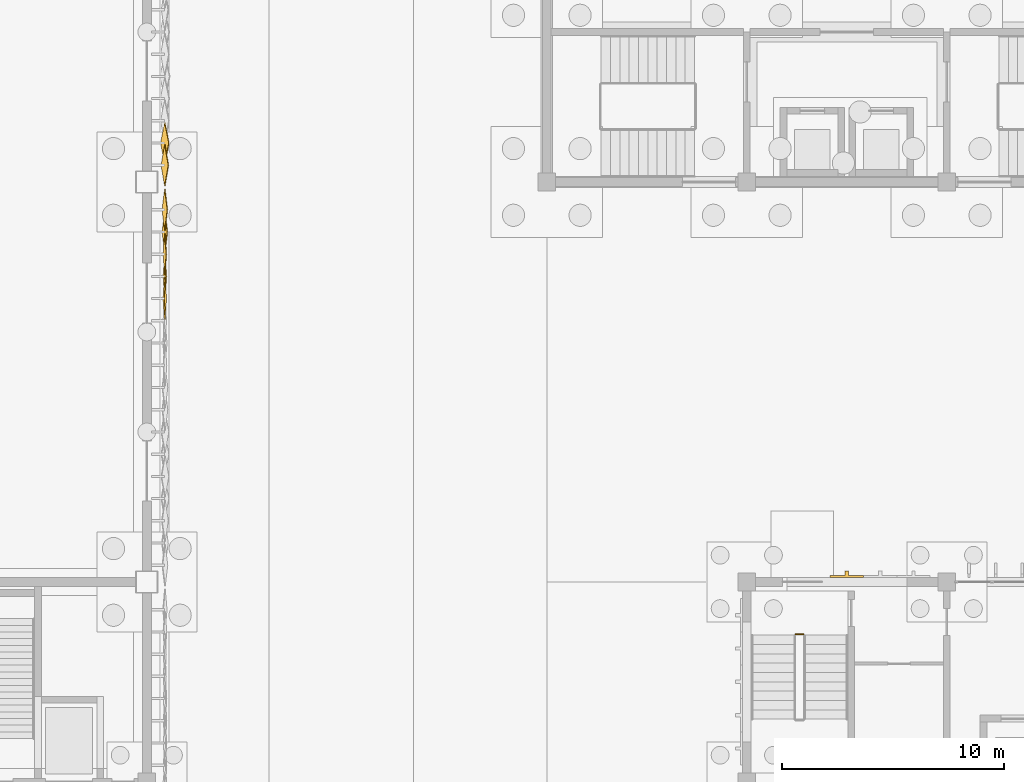
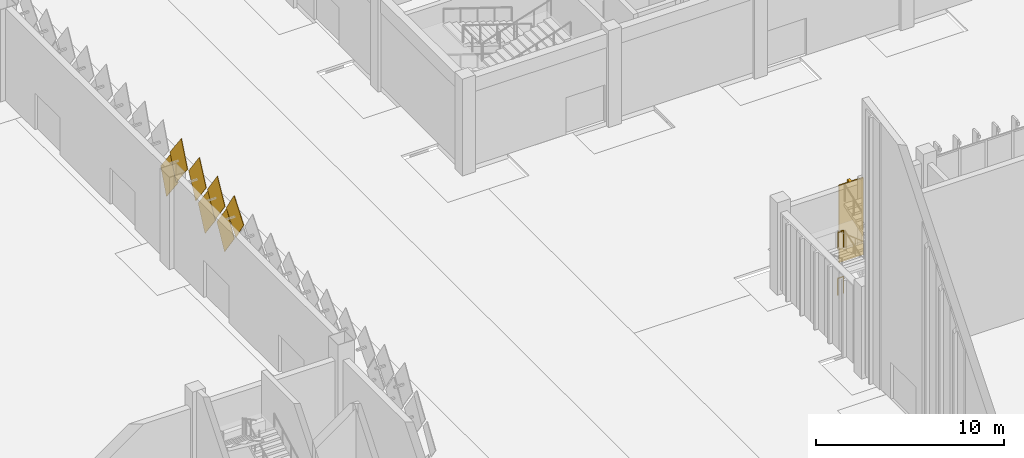
# One storey, part 183 of 198: 8 coverings, 2 railings.
"""IFC4 building model written with IfcOpenShell, lengths in metres."""

from ifc_helpers import new_model, si_unit, direction, frame, origin, origin_2d, place, context, subcontext, project, spatial, polyline, circle, outline, extrude, material, layer, layer_set, constituent, constituent_set, material_profile, profile_set, type_object, element, save


model = new_model("IFC4")

# Units and contexts
model_context = context("Model", 3, precision=1e-05, world=origin(), true_north=direction((0.0, 1.0)))
body_context = subcontext(model_context, "Body", "Model", "MODEL_VIEW")
ifc_project = project(units=[si_unit("LENGTHUNIT", "METRE"), si_unit("AREAUNIT", "SQUARE_METRE"), si_unit("VOLUMEUNIT", "CUBIC_METRE"), si_unit("PLANEANGLEUNIT", "RADIAN"), si_unit("MASSUNIT", "GRAM", prefix="KILO")], contexts=[model_context])

# Site, building, storey
site_placement = place(None, origin())
site = spatial("IfcSite", under=ifc_project, at=site_placement, CompositionType="ELEMENT")
building_placement = place(site_placement, origin())
building = spatial("IfcBuilding", under=site, at=building_placement, Name="Opaline Strait Convention Centre", CompositionType="ELEMENT")
storey_placement = place(building_placement, origin())
storey = spatial("IfcBuildingStorey", under=building, at=storey_placement, Name="L00", CompositionType="ELEMENT", Elevation=0.0)

# Coverings
ifc_material_1 = material(Name="White ceramic-faced aluminium tile", Category="aluminium")
ifc_material_profile_1 = material_profile(ifc_material_1, outline(polyline([(0.927978515625, 0.0), (0.0, 1.39208984375), (-0.927978515625, 0.0), (0.0, -1.39208984375), (0.927978515625, 0.0)])), Name="Diamond tile 1856x2784")
ifc_profile_set_1 = profile_set([ifc_material_profile_1], Name="White ceramic-faced aluminium tile")
covering_type_1 = type_object("IfcCoveringType", Name="Diamond wall tile 1856x2784x30 pivot 2.5 deg", PredefinedType="CLADDING", material=ifc_profile_set_1)
for number, where, z_axis, x_axis, name in (
    (1, (261.800048828125, 85.75, 4.39208984375), (0.998812351125, 0.0, -0.048722553713), (0.0, 1.0, 0.0), "Wall tile XT05 E"),
    (2, (261.800048828125, 84.75, 5.89208984375), (0.999174794796, 0.0, 0.040616861577), (0.0, 1.0, 0.0), "Wall tile XT05 E"),
    (3, (261.800048828125, 86.75, 5.89208984375), (0.998812351125, 0.0, -0.048722553713), (0.0, 1.0, 0.0), "Wall tile XT05 E"),
):
    element("IfcCovering", number, at=place(storey_placement, frame(where, z_axis=z_axis, x_axis=x_axis)), inside=storey, type_object=covering_type_1, Name=name, PredefinedType="CLADDING", context=body_context, shape_type="SweptSolid", body=[
        extrude(outline(polyline([(0.927978515625, 0.0), (0.0, 1.39208984375), (-0.927978515625, 0.0), (0.0, -1.39208984375), (0.927978515625, 0.0)])), origin(), (0.0, 0.0, 1.0), 0.030029296875),
    ])
ifc_material_profile_2 = material_profile(ifc_material_1, outline(polyline([(0.927978515625, 0.0), (0.0, 1.39208984375), (-0.927978515625, 0.0), (0.0, -1.39208984375), (0.927978515625, 0.0)])), Name="Diamond tile 1856x2784")
ifc_profile_set_2 = profile_set([ifc_material_profile_2], Name="White ceramic-faced aluminium tile")
covering_type_2 = type_object("IfcCoveringType", Name="Diamond wall tile 1856x2784x30 pivot 4.5 deg", PredefinedType="CLADDING", material=ifc_profile_set_2)
for number, where, z_axis, x_axis, name in (
    (4, (261.800048828125, 87.75, 4.39208984375), (0.996657521232, 0.0, -0.081693239445), (0.0, 1.0, 0.0), "Wall tile XT09 E"),
    (5, (261.800048828125, 88.75, 5.89208984375), (0.996657521232, 0.0, -0.081693239445), (0.0, 1.0, 0.0), "Wall tile XT09 E"),
):
    element("IfcCovering", number, at=place(storey_placement, frame(where, z_axis=z_axis, x_axis=x_axis)), inside=storey, type_object=covering_type_2, Name=name, PredefinedType="CLADDING", context=body_context, shape_type="SweptSolid", body=[
        extrude(outline(polyline([(0.927978515625, 0.0), (0.0, 1.39208984375), (-0.927978515625, 0.0), (0.0, -1.39208984375), (0.927978515625, 0.0)])), origin(), (0.0, 0.0, 1.0), 0.02978515625),
    ])
ifc_material_profile_3 = material_profile(ifc_material_1, outline(polyline([(0.927978515625, 0.0), (0.0, 1.39208984375), (-0.927978515625, 0.0), (0.0, -1.39208984375), (0.927978515625, 0.0)])), Name="Diamond tile 1856x2784")
ifc_profile_set_3 = profile_set([ifc_material_profile_3], Name="White ceramic-faced aluminium tile")
covering_type_3 = type_object("IfcCoveringType", Name="Diamond wall tile 1856x2784x30 pivot 6.5 deg", PredefinedType="CLADDING", material=ifc_profile_set_3)
covering_1_placement = place(storey_placement, frame((261.800048828125, 90.75, 5.89208984375), z_axis=(0.993480071526, 0.0, -0.114005909847), x_axis=(0.0, 1.0, 0.0)))
element("IfcCovering", 6, at=covering_1_placement, inside=storey, type_object=covering_type_3, Name="Wall tile XT13 E", PredefinedType="CLADDING", context=body_context, shape_type="SweptSolid", body=[
    extrude(outline(polyline([(0.927978515625, 0.0), (0.0, 1.39208984375), (-0.927978515625, 0.0), (0.0, -1.39208984375), (0.927978515625, 0.0)])), origin(), (0.0, 0.0, 1.0), 0.030029296875),
])
ifc_material_profile_4 = material_profile(ifc_material_1, outline(polyline([(0.927978515625, 0.0), (0.0, 1.39208984375), (-0.927978515625, 0.0), (0.0, -1.39208984375), (0.927978515625, 0.0)])), Name="Diamond tile 1856x2784")
ifc_profile_set_4 = profile_set([ifc_material_profile_4], Name="White ceramic-faced aluminium tile")
covering_type_4 = type_object("IfcCoveringType", Name="Diamond wall tile 1856x2784x30 pivot 7.5 deg", PredefinedType="CLADDING", material=ifc_profile_set_4)
covering_2_placement = place(storey_placement, frame((261.800048828125, 91.75, 4.39208984375), z_axis=(0.991509530601, 0.0, -0.1300340368), x_axis=(0.0, 1.0, 0.0)))
element("IfcCovering", 7, at=covering_2_placement, inside=storey, type_object=covering_type_4, Name="Wall tile XT15 E", PredefinedType="CLADDING", context=body_context, shape_type="SweptSolid", body=[
    extrude(outline(polyline([(0.927978515625, 0.0), (0.0, 1.39208984375), (-0.927978515625, 0.0), (0.0, -1.39208984375), (0.927978515625, 0.0)])), origin(), (0.0, 0.0, 1.0), 0.030029296875),
])

# Railings
ifc_material_2 = material(Name="Steel Q235B", Category="steel")
ifc_constituent_1 = constituent(ifc_material_2, Name="Frame")
ifc_material_3 = material(Name="Safety glass, bonded interlayer", Category="glass")
ifc_constituent_2 = constituent(ifc_material_3, Name="Infill")
ifc_constituent_set = constituent_set(constituents=[ifc_constituent_1, ifc_constituent_2], Name="Steel Q235B, Safety glass, bonded interlayer")
railing_type = type_object("IfcRailingType", Name="Guard 1100 steel and glass", PredefinedType="GUARDRAIL", material=ifc_constituent_set)
for number, where, name in (
    (8, (290.199951171875, 69.64990234375, 3.0), "L00 B-STNW stair guard 4"),
    (9, (290.199951171875, 69.64990234375, 0.0), "L00 B-STNW stair guard 8"),
):
    element("IfcRailing", number, at=place(storey_placement, frame(where)), inside=storey, type_object=railing_type, Name=name, PredefinedType="GUARDRAIL", context=body_context, shape_type="SweptSolid", body=[
        extrude(circle(Radius=0.02392578125, at=origin_2d()), frame((0.0, 0.0, 1.076171875), z_axis=(1.0, 0.0, 0.0), x_axis=(0.0, 1.0, 0.0)), (0.0, 0.0, 1.0), 0.35009765625),
        extrude(circle(Radius=0.02099609375, at=origin_2d()), origin(), (0.0, 0.0, 1.0), 1.052001953125),
        extrude(circle(Radius=0.02099609375, at=origin_2d()), frame((0.35009765625, 0.0, 0.0)), (0.0, 0.0, 1.0), 1.052001953125),
    ])

# Covering
ifc_material_4 = material(Name="Concrete C40 precast white", Category="concrete")
ifc_layer = layer(ifc_material_4, 0.300048828125)
ifc_layer_set = layer_set([ifc_layer], Name="Concrete C40 precast white")
covering_type_5 = type_object("IfcCoveringType", Name="Ribbed precast panel white 1500", PredefinedType="CLADDING", material=ifc_layer_set)
covering_3_placement = place(storey_placement, origin())
element("IfcCovering", 10, at=covering_3_placement, inside=storey, type_object=covering_type_5, Name="Ribbed panel L00-N0 3", PredefinedType="CLADDING", context=body_context, shape_type="SweptSolid", body=[
    extrude(outline(polyline([(291.75, 72.199951171875), (293.25, 72.199951171875), (293.25, 72.280029296875), (292.574951171875, 72.280029296875), (292.574951171875, 72.5), (292.425048828125, 72.5), (292.425048828125, 72.280029296875), (291.75, 72.280029296875), (291.75, 72.199951171875)])), origin(), (0.0, 0.0, 1.0), 5.02001953125),
])

save(model, "model.ifc")
